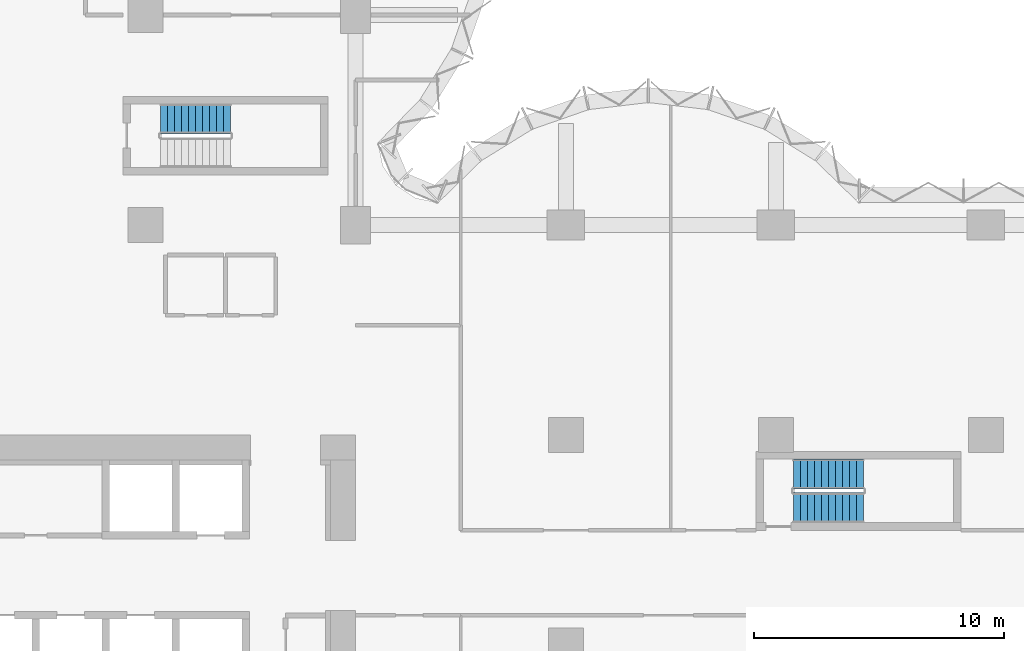
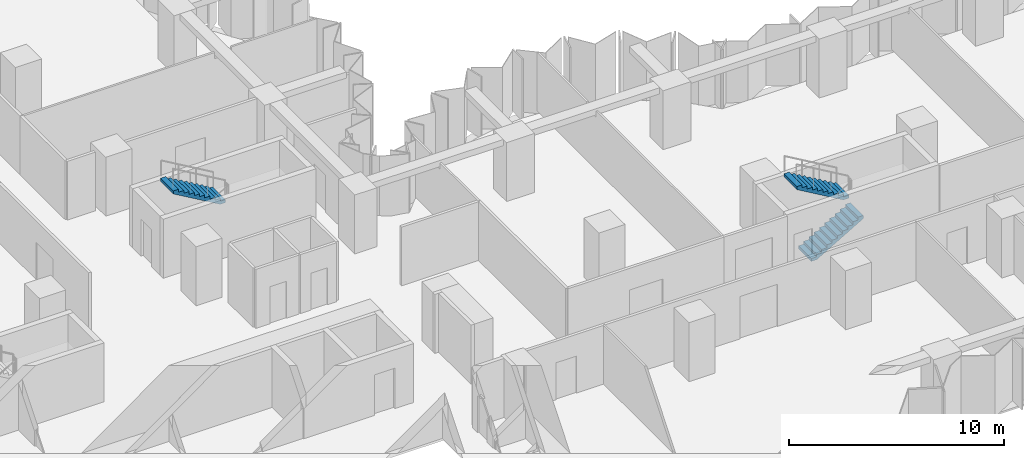
# One storey, part 12 of 15: 3 stair flights, 2 elements without a shape of their own.
"""IFC4 building model written with IfcOpenShell, lengths in metres."""

import ifcopenshell
import ifcopenshell.guid

model = None  # the IFC model being written
_history = None  # IfcOwnerHistory: only IFC2X3 demands one
_inside = {}  # id of a spatial element -> (the spatial element, [elements in it])
_under = {}  # id of a project, library or spatial element -> (it, [spatial elements below it])
_declared = {}  # id of a project -> (the project, [libraries it declares])
_typed = {}  # id of a type object -> (the type object, [elements of that type])
_made_of = {}  # id of a material, layer set ... -> (it, [elements and type objects made of it])


def new_model(schema):
    """Start an empty IFC model of exactly this schema.

    Asked for "IFC4X3", IfcOpenShell would pick the latest addendum, in which some entities
    have other attributes; the version numbers below select the first issue.
    IFC2X3 requires an IfcOwnerHistory on every rooted entity: one is made here for all.
    """
    global model, _history
    if schema == "IFC4X3":
        model = ifcopenshell.file(schema_version=(4, 3, 0, 0))
    else:
        model = ifcopenshell.file(schema=schema)
    _inside.clear()
    _under.clear()
    _declared.clear()
    _typed.clear()
    _made_of.clear()
    _history = None
    if model.schema == "IFC2X3":
        org = make("IfcOrganization", Name="unknown")
        user = make(
            "IfcPersonAndOrganization",
            ThePerson=make("IfcPerson", FamilyName="unknown"),
            TheOrganization=org,
        )
        app = make(
            "IfcApplication",
            ApplicationDeveloper=org,
            Version="unknown",
            ApplicationFullName="unknown",
            ApplicationIdentifier="unknown",
        )
        _history = make(
            "IfcOwnerHistory",
            OwningUser=user,
            OwningApplication=app,
            ChangeAction="ADDED",
            CreationDate=0,
        )
    return model


def make(cls, **values):
    """One entity of the class cls with the attributes given. An attribute that is None is left unset."""
    return model.create_entity(
        cls, **{name: value for name, value in values.items() if value is not None}
    )


def rooted(cls, **values):
    """An entity with a GlobalId (a new one), such as an element, a storey or a relation."""
    return make(cls, GlobalId=ifcopenshell.guid.new(), OwnerHistory=_history, **values)


def si_unit(unit_type, name, prefix=None):
    """IfcSIUnit, for example si_unit("LENGTHUNIT", "METRE", prefix="MILLI")."""
    return make("IfcSIUnit", UnitType=unit_type, Prefix=prefix, Name=name)


def assignment(units):
    """IfcUnitAssignment: the units of a project."""
    return None if units is None else make("IfcUnitAssignment", Units=units)


def point(xyz):
    """IfcCartesianPoint."""
    return None if xyz is None else make("IfcCartesianPoint", Coordinates=xyz)


def direction(xyz):
    """IfcDirection."""
    return None if xyz is None else make("IfcDirection", DirectionRatios=xyz)


def frame(location, z_axis=None, x_axis=None):
    """IfcAxis2Placement3D, a coordinate frame: its origin and axes. An axis left out is left unset."""
    return make(
        "IfcAxis2Placement3D",
        Location=point(location),
        Axis=direction(z_axis),
        RefDirection=direction(x_axis),
    )


def origin():
    """The frame at (0, 0, 0) with its axes left unset."""
    return frame((0.0, 0.0, 0.0))


def place(relative_to, where):
    """IfcLocalPlacement: puts the frame where relative to a parent placement (None: the world)."""
    return make(
        "IfcLocalPlacement", PlacementRelTo=relative_to, RelativePlacement=where
    )


def context(
    kind, dimensions, precision=None, world=None, true_north=None, identifier=None
):
    """IfcGeometricRepresentationContext, for example the 3D "Model" context."""
    return make(
        "IfcGeometricRepresentationContext",
        ContextIdentifier=identifier,
        ContextType=kind,
        CoordinateSpaceDimension=dimensions,
        Precision=precision,
        WorldCoordinateSystem=world,
        TrueNorth=true_north,
    )


def subcontext(parent, identifier, kind, view, scale=None):
    """IfcGeometricRepresentationSubContext, for example "Body" below "Model"."""
    return make(
        "IfcGeometricRepresentationSubContext",
        ContextIdentifier=identifier,
        ContextType=kind,
        ParentContext=parent,
        TargetScale=scale,
        TargetView=view,
    )


def project(units=None, contexts=None):
    """IfcProject with its units and contexts."""
    return rooted(
        "IfcProject",
        Name="project",
        RepresentationContexts=contexts,
        UnitsInContext=assignment(units),
    )


def spatial(cls, under=None, at=None, **own):
    """A site, building, storey or space (cls), placed at a placement, below another one or the project."""
    s = rooted(cls, ObjectPlacement=at, **own)
    if under is not None:
        _under.setdefault(under.id(), (under, []))[1].append(s)
    return s


def polyline(points):
    """IfcPolyline through the points."""
    return make("IfcPolyline", Points=[point(p) for p in points])


def outline(outer, holes=None, kind="AREA"):
    """IfcArbitraryClosedProfileDef: a profile drawn as a closed curve; with holes, ...WithVoids."""
    if holes is None:
        return make("IfcArbitraryClosedProfileDef", ProfileType=kind, OuterCurve=outer)
    return make(
        "IfcArbitraryProfileDefWithVoids",
        ProfileType=kind,
        OuterCurve=outer,
        InnerCurves=holes,
    )


def extrude(swept, where, along, depth):
    """IfcExtrudedAreaSolid: the profile swept, set in the frame where, extruded along a direction by depth."""
    return make(
        "IfcExtrudedAreaSolid",
        SweptArea=swept,
        Position=where,
        ExtrudedDirection=direction(along),
        Depth=depth,
    )


def shape(context_of_items, identifier, shape_type, items):
    """IfcShapeRepresentation: the items that make up one representation, for example the "Body"."""
    return make(
        "IfcShapeRepresentation",
        ContextOfItems=context_of_items,
        RepresentationIdentifier=identifier,
        RepresentationType=shape_type,
        Items=items,
    )


def material(Name=None, Category=None):
    """IfcMaterial."""
    return make("IfcMaterial", Name=Name, Category=Category)


def made_of(thing, what):
    """Note that an element or type object is made of a material, layer set ...; save() writes the relation."""
    if what is not None:
        _made_of.setdefault(what.id(), (what, []))[1].append(thing)
    return thing


def type_object(cls, material=None, **own):
    """A type object (cls), such as IfcWallType, which elements share."""
    return made_of(rooted(cls, **own), material)


def element(
    cls,
    number,
    at=None,
    inside=None,
    cuts=None,
    type_object=None,
    material=None,
    context=None,
    identifier="Body",
    shape_type=None,
    held_by="IfcProductDefinitionShape",
    body=None,
    shapes=None,
    **own,
):
    """One element of the class cls, such as IfcWall. Its Tag is "e" and its number.

    at: its placement. inside: the storey or other place that contains it. cuts: it is an
    opening in that element (IfcRelVoidsElement). A single representation is given by context,
    identifier, shape_type and body (its items); several are given by shapes. held_by: the class
    of the entity that holds the representations. save() writes the other relations.
    """
    e = rooted(cls, Tag="e%d" % number, ObjectPlacement=at, **own)
    if body is not None:
        shapes = [shape(context, identifier, shape_type, body)]
    if shapes is not None:
        e.Representation = make(held_by, Representations=shapes)
    if inside is not None:
        _inside.setdefault(inside.id(), (inside, []))[1].append(e)
    if cuts is not None:
        rooted(
            "IfcRelVoidsElement", RelatingBuildingElement=cuts, RelatedOpeningElement=e
        )
    if type_object is not None:
        _typed.setdefault(type_object.id(), (type_object, []))[1].append(e)
    return made_of(e, material)


def aggregate(whole, parts):
    """IfcRelAggregates: a whole, such as a stair, and the parts it consists of."""
    return rooted("IfcRelAggregates", RelatingObject=whole, RelatedObjects=parts)


def save(model, path):
    """Write the relations noted so far, then the file.

    IfcRelAggregates (storeys below a building ...), IfcRelContainedInSpatialStructure (elements
    in a storey), IfcRelDefinesByType, IfcRelAssociatesMaterial and IfcRelDeclares: one each for
    every whole, place, type object, material and project.
    """
    for whole, parts in _under.values():
        aggregate(whole, parts)
    for where, things in _inside.values():
        rooted(
            "IfcRelContainedInSpatialStructure",
            RelatedElements=things,
            RelatingStructure=where,
        )
    for kind, things in _typed.values():
        rooted("IfcRelDefinesByType", RelatedObjects=things, RelatingType=kind)
    for what, things in _made_of.values():
        rooted("IfcRelAssociatesMaterial", RelatedObjects=things, RelatingMaterial=what)
    for by, libraries in _declared.values():
        rooted("IfcRelDeclares", RelatingContext=by, RelatedDefinitions=libraries)
    model.write(path)


model = new_model("IFC4")

# Units and contexts
model_context = context("Model", 3, precision=1e-05, world=origin(), true_north=direction((0.0, 1.0)))
body_context = subcontext(model_context, "Body", "Model", "MODEL_VIEW")
ifc_project = project(units=[si_unit("LENGTHUNIT", "METRE"), si_unit("AREAUNIT", "SQUARE_METRE"), si_unit("VOLUMEUNIT", "CUBIC_METRE"), si_unit("PLANEANGLEUNIT", "RADIAN"), si_unit("MASSUNIT", "GRAM", prefix="KILO")], contexts=[model_context])

# Site, building, storey
site_placement = place(None, origin())
site = spatial("IfcSite", under=ifc_project, at=site_placement, CompositionType="ELEMENT")
building_placement = place(site_placement, origin())
building = spatial("IfcBuilding", under=site, at=building_placement, Name="Brevane Broadcast Tower", CompositionType="ELEMENT")
storey_placement = place(building_placement, frame((0.0, 0.0, 79.699951171875)))
storey = spatial("IfcBuildingStorey", under=building, at=storey_placement, Name="L18", CompositionType="ELEMENT", Elevation=79.699951171875)

# Stair, stair flight
ifc_material = material(Name="Concrete C50/60", Category="concrete")
stair_type = type_object("IfcStairType", Name="Exit stair 22 risers", PredefinedType="HALF_TURN_STAIR", material=ifc_material)
stair_1_placement = place(storey_placement, origin())
stair_1 = element("IfcStair", 1, at=stair_1_placement, inside=storey, type_object=stair_type, Name="L18 Exit stair ST-3", PredefinedType="HALF_TURN_STAIR")
stair_flight_type = type_object("IfcStairFlightType", Name="Exit stair flight 22 risers", PredefinedType="STRAIGHT", material=ifc_material)
stair_flight_1_placement = place(storey_placement, frame((20.199951171875, 29.449951171875, 1.800048828125), z_axis=(0.0, 0.0, 1.0), x_axis=(-1.0, 0.0, 0.0)))
stair_flight_1 = element("IfcStairFlight", 2, at=stair_flight_1_placement, type_object=stair_flight_type, Name="ST-3 flight 2", NumberOfRisers=11, NumberOfTreads=10, PredefinedType="STRAIGHT", RiserHeight=0.163636364, TreadLength=0.28, context=body_context, shape_type="SweptSolid", body=[
    extrude(outline(polyline([(0.0, 0.0), (0.0, 0.16357421875), (0.280029296875, 0.16357421875), (0.280029296875, 0.327392578125), (0.56005859375, 0.327392578125), (0.56005859375, 0.490966796875), (0.840087890625, 0.490966796875), (0.840087890625, 0.654541015625), (1.1201171875, 0.654541015625), (1.1201171875, 0.818115234375), (1.39990234375, 0.818115234375), (1.39990234375, 0.98193359375), (1.679931640625, 0.98193359375), (1.679931640625, 1.1455078125), (1.9599609375, 1.1455078125), (1.9599609375, 1.30908203125), (2.239990234375, 1.30908203125), (2.239990234375, 1.47265625), (2.52001953125, 1.47265625), (2.52001953125, 1.636474609375), (2.800048828125, 1.636474609375), (2.800048828125, 1.800048828125), (2.800048828125, 1.462646484375), (0.297119140625, 0.0), (0.0, 0.0)])), frame((0.0, 0.60009765625, 0.0), z_axis=(0.0, -1.0, 0.0), x_axis=(1.0, 0.0, 0.0)), (0.0, 0.0, 1.0), 1.199951171875),
])
aggregate(stair_1, [stair_flight_1])

# Stair, stair flights
stair_2_placement = place(storey_placement, origin())
stair_2 = element("IfcStair", 3, at=stair_2_placement, inside=storey, type_object=stair_type, Name="L18 Exit stair ST-4", PredefinedType="HALF_TURN_STAIR")
stair_flight_2_placement = place(storey_placement, frame((42.699951171875, 13.89990234375, 0.0), z_axis=(0.0, 0.0, 1.0), x_axis=(1.0, 0.0, 0.0)))
stair_flight_2 = element("IfcStairFlight", 4, at=stair_flight_2_placement, type_object=stair_flight_type, Name="ST-4 flight 1", NumberOfRisers=11, NumberOfTreads=10, PredefinedType="STRAIGHT", RiserHeight=0.163636364, TreadLength=0.28, context=body_context, shape_type="SweptSolid", body=[
    extrude(outline(polyline([(0.0, 0.0), (0.0, 0.16357421875), (0.280029296875, 0.16357421875), (0.280029296875, 0.327392578125), (0.56005859375, 0.327392578125), (0.56005859375, 0.490966796875), (0.840087890625, 0.490966796875), (0.840087890625, 0.654541015625), (1.1201171875, 0.654541015625), (1.1201171875, 0.818115234375), (1.39990234375, 0.818115234375), (1.39990234375, 0.98193359375), (1.679931640625, 0.98193359375), (1.679931640625, 1.1455078125), (1.9599609375, 1.1455078125), (1.9599609375, 1.30908203125), (2.239990234375, 1.30908203125), (2.239990234375, 1.47265625), (2.52001953125, 1.47265625), (2.52001953125, 1.636474609375), (2.800048828125, 1.636474609375), (2.800048828125, 1.800048828125), (2.800048828125, 1.462646484375), (0.297119140625, 0.0), (0.0, 0.0)])), frame((0.0, 0.60009765625, 0.0), z_axis=(0.0, -1.0, 0.0), x_axis=(1.0, 0.0, 0.0)), (0.0, 0.0, 1.0), 1.199951171875),
])
stair_flight_3_placement = place(storey_placement, frame((45.5, 15.25, 1.800048828125), z_axis=(0.0, 0.0, 1.0), x_axis=(-1.0, 0.0, 0.0)))
stair_flight_3 = element("IfcStairFlight", 5, at=stair_flight_3_placement, type_object=stair_flight_type, Name="ST-4 flight 2", NumberOfRisers=11, NumberOfTreads=10, PredefinedType="STRAIGHT", RiserHeight=0.163636364, TreadLength=0.28, context=body_context, shape_type="SweptSolid", body=[
    extrude(outline(polyline([(0.0, 0.0), (0.0, 0.16357421875), (0.280029296875, 0.16357421875), (0.280029296875, 0.327392578125), (0.56005859375, 0.327392578125), (0.56005859375, 0.490966796875), (0.840087890625, 0.490966796875), (0.840087890625, 0.654541015625), (1.1201171875, 0.654541015625), (1.1201171875, 0.818115234375), (1.39990234375, 0.818115234375), (1.39990234375, 0.98193359375), (1.679931640625, 0.98193359375), (1.679931640625, 1.1455078125), (1.9599609375, 1.1455078125), (1.9599609375, 1.30908203125), (2.239990234375, 1.30908203125), (2.239990234375, 1.47265625), (2.52001953125, 1.47265625), (2.52001953125, 1.636474609375), (2.800048828125, 1.636474609375), (2.800048828125, 1.800048828125), (2.800048828125, 1.462646484375), (0.297119140625, 0.0), (0.0, 0.0)])), frame((0.0, 0.60009765625, 0.0), z_axis=(0.0, -1.0, 0.0), x_axis=(1.0, 0.0, 0.0)), (0.0, 0.0, 1.0), 1.199951171875),
])
aggregate(stair_2, [stair_flight_2, stair_flight_3])

save(model, "model.ifc")
